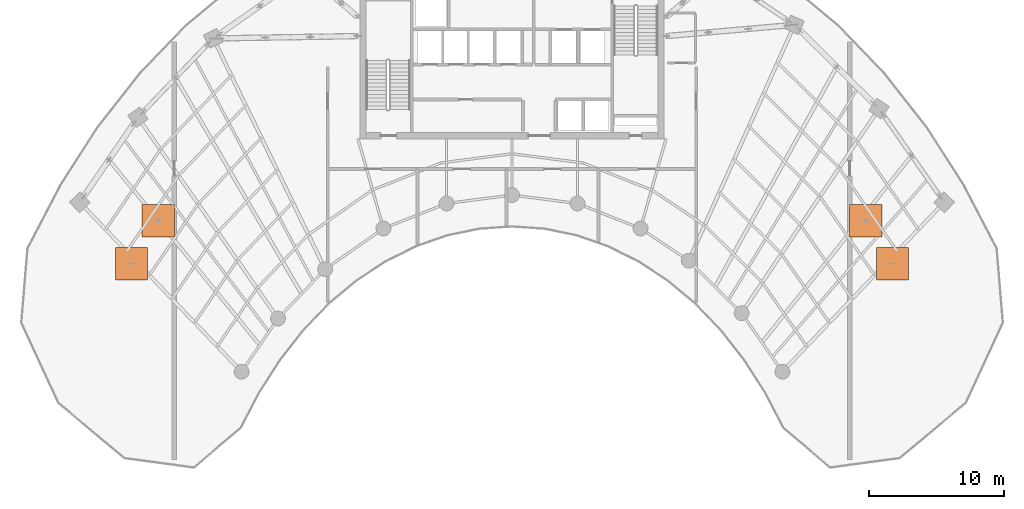
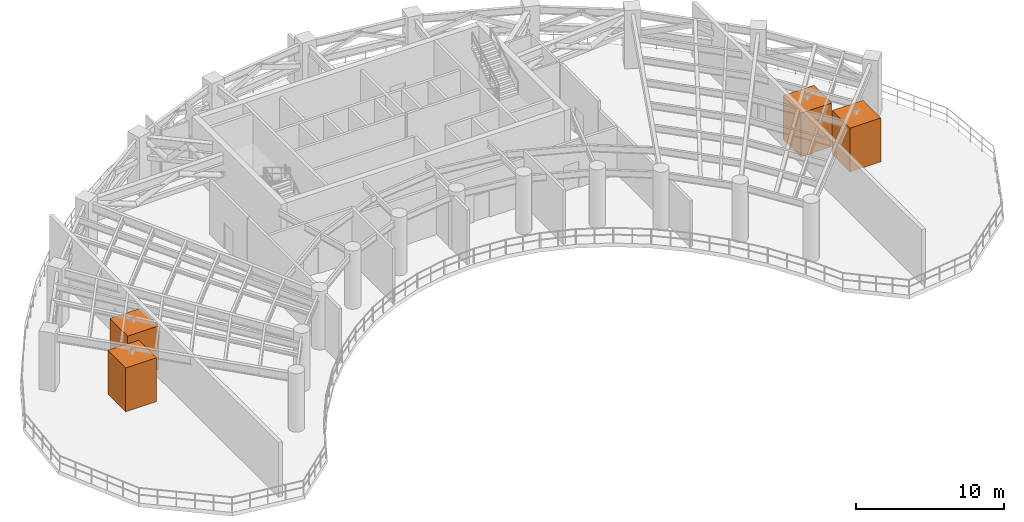
# One storey, part 24 of 24: 4 proxies.
"""IFC4 building model written with IfcOpenShell, lengths in metres."""

import ifcopenshell
import ifcopenshell.guid

model = None  # the IFC model being written
_history = None  # IfcOwnerHistory: only IFC2X3 demands one
_inside = {}  # id of a spatial element -> (the spatial element, [elements in it])
_under = {}  # id of a project, library or spatial element -> (it, [spatial elements below it])
_declared = {}  # id of a project -> (the project, [libraries it declares])
_typed = {}  # id of a type object -> (the type object, [elements of that type])
_made_of = {}  # id of a material, layer set ... -> (it, [elements and type objects made of it])


def new_model(schema):
    """Start an empty IFC model of exactly this schema.

    Asked for "IFC4X3", IfcOpenShell would pick the latest addendum, in which some entities
    have other attributes; the version numbers below select the first issue.
    IFC2X3 requires an IfcOwnerHistory on every rooted entity: one is made here for all.
    """
    global model, _history
    if schema == "IFC4X3":
        model = ifcopenshell.file(schema_version=(4, 3, 0, 0))
    else:
        model = ifcopenshell.file(schema=schema)
    _inside.clear()
    _under.clear()
    _declared.clear()
    _typed.clear()
    _made_of.clear()
    _history = None
    if model.schema == "IFC2X3":
        org = make("IfcOrganization", Name="unknown")
        user = make(
            "IfcPersonAndOrganization",
            ThePerson=make("IfcPerson", FamilyName="unknown"),
            TheOrganization=org,
        )
        app = make(
            "IfcApplication",
            ApplicationDeveloper=org,
            Version="unknown",
            ApplicationFullName="unknown",
            ApplicationIdentifier="unknown",
        )
        _history = make(
            "IfcOwnerHistory",
            OwningUser=user,
            OwningApplication=app,
            ChangeAction="ADDED",
            CreationDate=0,
        )
    return model


def make(cls, **values):
    """One entity of the class cls with the attributes given. An attribute that is None is left unset."""
    return model.create_entity(
        cls, **{name: value for name, value in values.items() if value is not None}
    )


def rooted(cls, **values):
    """An entity with a GlobalId (a new one), such as an element, a storey or a relation."""
    return make(cls, GlobalId=ifcopenshell.guid.new(), OwnerHistory=_history, **values)


def si_unit(unit_type, name, prefix=None):
    """IfcSIUnit, for example si_unit("LENGTHUNIT", "METRE", prefix="MILLI")."""
    return make("IfcSIUnit", UnitType=unit_type, Prefix=prefix, Name=name)


def assignment(units):
    """IfcUnitAssignment: the units of a project."""
    return None if units is None else make("IfcUnitAssignment", Units=units)


def point(xyz):
    """IfcCartesianPoint."""
    return None if xyz is None else make("IfcCartesianPoint", Coordinates=xyz)


def direction(xyz):
    """IfcDirection."""
    return None if xyz is None else make("IfcDirection", DirectionRatios=xyz)


def frame(location, z_axis=None, x_axis=None):
    """IfcAxis2Placement3D, a coordinate frame: its origin and axes. An axis left out is left unset."""
    return make(
        "IfcAxis2Placement3D",
        Location=point(location),
        Axis=direction(z_axis),
        RefDirection=direction(x_axis),
    )


def frame_2d(location, x_axis=None):
    """IfcAxis2Placement2D, a coordinate frame in the plane: its origin and x axis."""
    return make(
        "IfcAxis2Placement2D", Location=point(location), RefDirection=direction(x_axis)
    )


def origin():
    """The frame at (0, 0, 0) with its axes left unset."""
    return frame((0.0, 0.0, 0.0))


def origin_2d():
    """The frame at (0, 0) in the plane with its x axis left unset."""
    return frame_2d((0.0, 0.0))


def place(relative_to, where):
    """IfcLocalPlacement: puts the frame where relative to a parent placement (None: the world)."""
    return make(
        "IfcLocalPlacement", PlacementRelTo=relative_to, RelativePlacement=where
    )


def context(
    kind, dimensions, precision=None, world=None, true_north=None, identifier=None
):
    """IfcGeometricRepresentationContext, for example the 3D "Model" context."""
    return make(
        "IfcGeometricRepresentationContext",
        ContextIdentifier=identifier,
        ContextType=kind,
        CoordinateSpaceDimension=dimensions,
        Precision=precision,
        WorldCoordinateSystem=world,
        TrueNorth=true_north,
    )


def subcontext(parent, identifier, kind, view, scale=None):
    """IfcGeometricRepresentationSubContext, for example "Body" below "Model"."""
    return make(
        "IfcGeometricRepresentationSubContext",
        ContextIdentifier=identifier,
        ContextType=kind,
        ParentContext=parent,
        TargetScale=scale,
        TargetView=view,
    )


def project(units=None, contexts=None):
    """IfcProject with its units and contexts."""
    return rooted(
        "IfcProject",
        Name="project",
        RepresentationContexts=contexts,
        UnitsInContext=assignment(units),
    )


def spatial(cls, under=None, at=None, **own):
    """A site, building, storey or space (cls), placed at a placement, below another one or the project."""
    s = rooted(cls, ObjectPlacement=at, **own)
    if under is not None:
        _under.setdefault(under.id(), (under, []))[1].append(s)
    return s


def profile(cls, at=None, kind="AREA", **sizes):
    """A parametric profile (cls). Its sizes go by their IFC names, for example OverallWidth=200.0."""
    return make(cls, ProfileType=kind, Position=at, **sizes)


def rectangle(**sizes):
    """IfcRectangleProfileDef."""
    return profile("IfcRectangleProfileDef", **sizes)


def extrude(swept, where, along, depth):
    """IfcExtrudedAreaSolid: the profile swept, set in the frame where, extruded along a direction by depth."""
    return make(
        "IfcExtrudedAreaSolid",
        SweptArea=swept,
        Position=where,
        ExtrudedDirection=direction(along),
        Depth=depth,
    )


def shape(context_of_items, identifier, shape_type, items):
    """IfcShapeRepresentation: the items that make up one representation, for example the "Body"."""
    return make(
        "IfcShapeRepresentation",
        ContextOfItems=context_of_items,
        RepresentationIdentifier=identifier,
        RepresentationType=shape_type,
        Items=items,
    )


def source(mapping_origin, context_of_items, identifier, shape_type, items):
    """IfcRepresentationMap: a shape defined once, which mapped items show again and again."""
    return make(
        "IfcRepresentationMap",
        MappingOrigin=mapping_origin,
        MappedRepresentation=shape(context_of_items, identifier, shape_type, items),
    )


def transform(
    local_origin,
    x_axis=None,
    y_axis=None,
    z_axis=None,
    scale=None,
    scale2=None,
    scale3=None,
    uniform=True,
):
    """IfcCartesianTransformationOperator3D, or its non-uniform kind. x_axis, y_axis, z_axis: its Axis1, 2, 3."""
    if uniform:
        return make(
            "IfcCartesianTransformationOperator3D",
            Axis1=direction(x_axis),
            Axis2=direction(y_axis),
            LocalOrigin=point(local_origin),
            Scale=scale,
            Axis3=direction(z_axis),
        )
    return make(
        "IfcCartesianTransformationOperator3DnonUniform",
        Axis1=direction(x_axis),
        Axis2=direction(y_axis),
        LocalOrigin=point(local_origin),
        Scale=scale,
        Axis3=direction(z_axis),
        Scale2=scale2,
        Scale3=scale3,
    )


def mapped(mapping_source, mapping_target):
    """IfcMappedItem: shows the shape of a source again, moved by a transform."""
    return make(
        "IfcMappedItem", MappingSource=mapping_source, MappingTarget=mapping_target
    )


def material(Name=None, Category=None):
    """IfcMaterial."""
    return make("IfcMaterial", Name=Name, Category=Category)


def made_of(thing, what):
    """Note that an element or type object is made of a material, layer set ...; save() writes the relation."""
    if what is not None:
        _made_of.setdefault(what.id(), (what, []))[1].append(thing)
    return thing


def type_object(cls, material=None, **own):
    """A type object (cls), such as IfcWallType, which elements share."""
    return made_of(rooted(cls, **own), material)


def type_shapes(of_type, sources):
    """Give a type object the sources (RepresentationMaps) that its elements show as mapped items."""
    of_type.RepresentationMaps = sources


def element(
    cls,
    number,
    at=None,
    inside=None,
    cuts=None,
    type_object=None,
    material=None,
    context=None,
    identifier="Body",
    shape_type=None,
    held_by="IfcProductDefinitionShape",
    body=None,
    shapes=None,
    **own,
):
    """One element of the class cls, such as IfcWall. Its Tag is "e" and its number.

    at: its placement. inside: the storey or other place that contains it. cuts: it is an
    opening in that element (IfcRelVoidsElement). A single representation is given by context,
    identifier, shape_type and body (its items); several are given by shapes. held_by: the class
    of the entity that holds the representations. save() writes the other relations.
    """
    e = rooted(cls, Tag="e%d" % number, ObjectPlacement=at, **own)
    if body is not None:
        shapes = [shape(context, identifier, shape_type, body)]
    if shapes is not None:
        e.Representation = make(held_by, Representations=shapes)
    if inside is not None:
        _inside.setdefault(inside.id(), (inside, []))[1].append(e)
    if cuts is not None:
        rooted(
            "IfcRelVoidsElement", RelatingBuildingElement=cuts, RelatedOpeningElement=e
        )
    if type_object is not None:
        _typed.setdefault(type_object.id(), (type_object, []))[1].append(e)
    return made_of(e, material)


def aggregate(whole, parts):
    """IfcRelAggregates: a whole, such as a stair, and the parts it consists of."""
    return rooted("IfcRelAggregates", RelatingObject=whole, RelatedObjects=parts)


def save(model, path):
    """Write the relations noted so far, then the file.

    IfcRelAggregates (storeys below a building ...), IfcRelContainedInSpatialStructure (elements
    in a storey), IfcRelDefinesByType, IfcRelAssociatesMaterial and IfcRelDeclares: one each for
    every whole, place, type object, material and project.
    """
    for whole, parts in _under.values():
        aggregate(whole, parts)
    for where, things in _inside.values():
        rooted(
            "IfcRelContainedInSpatialStructure",
            RelatedElements=things,
            RelatingStructure=where,
        )
    for kind, things in _typed.values():
        rooted("IfcRelDefinesByType", RelatedObjects=things, RelatingType=kind)
    for what, things in _made_of.values():
        rooted("IfcRelAssociatesMaterial", RelatedObjects=things, RelatingMaterial=what)
    for by, libraries in _declared.values():
        rooted("IfcRelDeclares", RelatingContext=by, RelatedDefinitions=libraries)
    model.write(path)


model = new_model("IFC4")

# Units and contexts
model_context = context("Model", 3, precision=1e-05, world=origin(), true_north=direction((0.0, 1.0)))
body_context = subcontext(model_context, "Body", "Model", "MODEL_VIEW")
ifc_project = project(units=[si_unit("LENGTHUNIT", "METRE"), si_unit("AREAUNIT", "SQUARE_METRE"), si_unit("VOLUMEUNIT", "CUBIC_METRE"), si_unit("PLANEANGLEUNIT", "RADIAN"), si_unit("MASSUNIT", "GRAM", prefix="KILO")], contexts=[model_context])

# Site, building, storey
site_placement = place(None, origin())
site = spatial("IfcSite", under=ifc_project, at=site_placement, CompositionType="ELEMENT")
building_placement = place(site_placement, origin())
building = spatial("IfcBuilding", under=site, at=building_placement, Name="Breltana Convention Tower", CompositionType="ELEMENT")
storey_placement = place(building_placement, frame((0.0, 0.0, 189.60009765625)))
storey = spatial("IfcBuildingStorey", under=building, at=storey_placement, Name="L46", CompositionType="ELEMENT", Elevation=189.60009765625)

# Proxies
ifc_material = material(Name="Steel ASTM A992 Grade 50", Category="steel")
building_element_proxy_type = type_object("IfcBuildingElementProxyType", Name="EQ-VAWT-3200", PredefinedType="USERDEFINED", material=ifc_material)
shared_shape = source(origin(), body_context, "Body", "SweptSolid", [
    extrude(rectangle(XDim=2.39990234375, YDim=2.39990234375, at=origin_2d()), origin(), (0.0, 0.0, 1.0), 3.60009765625),
])
type_shapes(building_element_proxy_type, [shared_shape])
for number, where, z_axis, x_axis, name in (
    (1, (19.8359375, 50.958740234375, 0.43994140625), (0.0, 0.0, 1.0), (1.0, 0.0, 0.0), "Vertical-Axis Wind Turbine Rotor WT-1"),
    (2, (21.82666015625, 54.1376953125, 0.43994140625), (0.0, 0.0, 1.0), (1.0, 0.0, 0.0), "Vertical-Axis Wind Turbine Rotor WT-2"),
    (3, (74.17333984375, 54.1376953125, 0.43994140625), (0.0, 0.0, 1.0), (1.0, 0.0, 0.0), "Vertical-Axis Wind Turbine Rotor WT-3"),
    (4, (76.1640625, 50.958740234375, 0.43994140625), (0.0, 0.0, 1.0), (1.0, 0.0, 0.0), "Vertical-Axis Wind Turbine Rotor WT-4"),
):
    element("IfcBuildingElementProxy", number, at=place(storey_placement, frame(where, z_axis=z_axis, x_axis=x_axis)), inside=storey, type_object=building_element_proxy_type, Name=name, ObjectType="WIND_TURBINE", PredefinedType="USERDEFINED", context=body_context, shape_type="MappedRepresentation", body=[
        mapped(shared_shape, transform((0.0, 0.0, 0.0), scale=1.0)),
    ])

save(model, "model.ifc")
